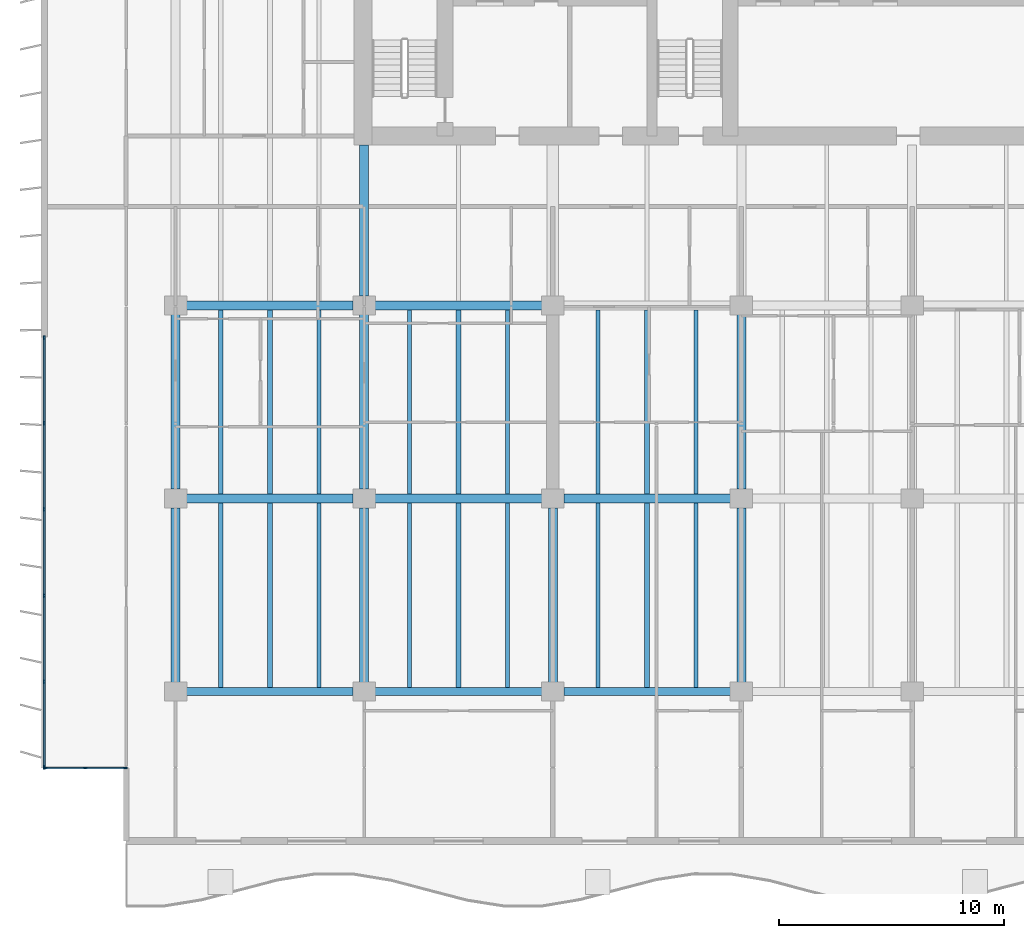
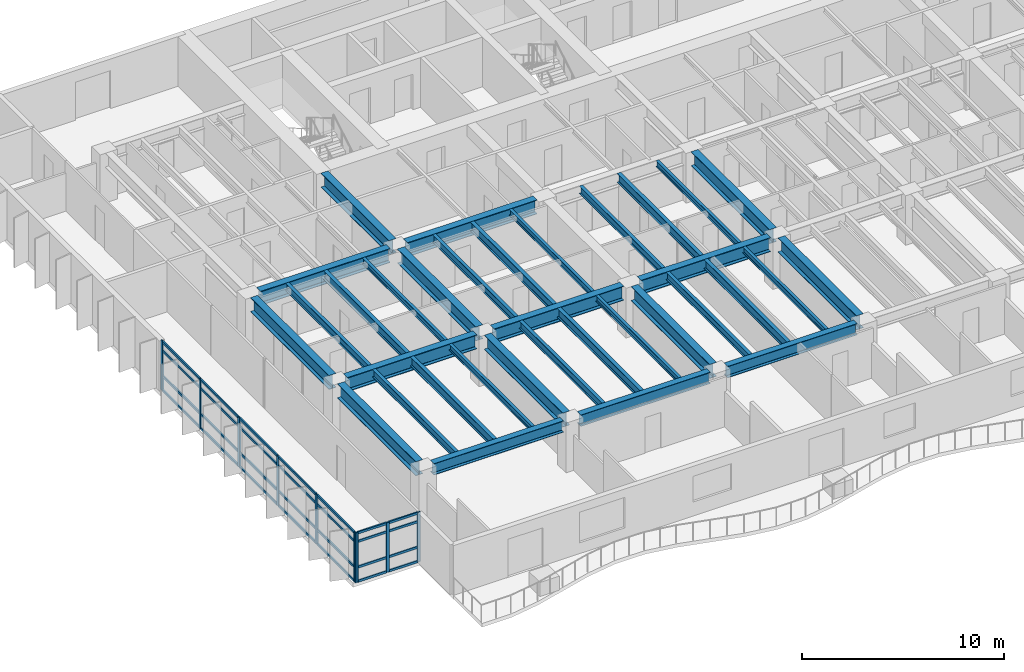
# One storey, part 2 of 19: 37 members, 34 beams, 2 elements without a shape of their own.
"""IFC4 building model written with IfcOpenShell, lengths in metres."""

from ifc_helpers import new_model, si_unit, direction, frame, origin, origin_2d, place, context, subcontext, project, spatial, rectangle, i_section, extrude, material, layer, layer_set, material_profile, profile_set, type_object, element, aggregate, save


model = new_model("IFC4")

# Units and contexts
model_context = context("Model", 3, precision=1e-05, world=origin(), true_north=direction((0.0, 1.0)))
body_context = subcontext(model_context, "Body", "Model", "MODEL_VIEW")
ifc_project = project(units=[si_unit("LENGTHUNIT", "METRE"), si_unit("AREAUNIT", "SQUARE_METRE"), si_unit("VOLUMEUNIT", "CUBIC_METRE"), si_unit("PLANEANGLEUNIT", "RADIAN"), si_unit("MASSUNIT", "GRAM", prefix="KILO")], contexts=[model_context])

# Site, building, storey
site_placement = place(None, origin())
site = spatial("IfcSite", under=ifc_project, at=site_placement, CompositionType="ELEMENT")
building_placement = place(site_placement, origin())
building = spatial("IfcBuilding", under=site, at=building_placement, Name="Caelmar Bay Residences", CompositionType="ELEMENT")
storey_placement = place(building_placement, frame((0.0, 0.0, 94.5)))
storey = spatial("IfcBuildingStorey", under=building, at=storey_placement, Name="L25", CompositionType="ELEMENT", Elevation=94.5)

# Beams
ifc_material_1 = material(Name="Steel ASTM A992 Grade 50", Category="steel")
ifc_material_profile_1 = material_profile(ifc_material_1, i_section(OverallWidth=0.40087890625, OverallDepth=0.861083984375, WebThickness=0.019775390625, FlangeThickness=0.032470703125, FilletRadius=0.017822265625, at=origin_2d()), Name="W33X221")
ifc_profile_set_1 = profile_set([ifc_material_profile_1], Name="Steel ASTM A992 Grade 50")
beam_type_1 = type_object("IfcBeamType", Name="BM-GRD-W33X221", PredefinedType="BEAM", material=ifc_profile_set_1)
beam_1_placement = place(storey_placement, frame((10.389892578125, 20.800048828125, 2.569580078125), z_axis=(1.0, 0.0, 0.0), x_axis=(0.0, 1.0, 0.0)))
element("IfcBeam", 1, at=beam_1_placement, inside=storey, type_object=beam_type_1, Name="L25 East-West Girder Y=20.80 (9.9-18.3)", PredefinedType="BEAM", context=body_context, shape_type="SweptSolid", body=[
    extrude(i_section(OverallWidth=0.40087890625, OverallDepth=0.861083984375, WebThickness=0.019775390625, FlangeThickness=0.032470703125, FilletRadius=0.017822265625, at=origin_2d()), origin(), (0.0, 0.0, 1.0), 7.420166015625),
])
beam_2_placement = place(storey_placement, frame((18.7900390625, 20.800048828125, 2.569580078125), z_axis=(1.0, 0.0, 0.0), x_axis=(0.0, 1.0, 0.0)))
element("IfcBeam", 2, at=beam_2_placement, inside=storey, type_object=beam_type_1, Name="L25 East-West Girder Y=20.80 (18.3-26.7)", PredefinedType="BEAM", context=body_context, shape_type="SweptSolid", body=[
    extrude(i_section(OverallWidth=0.40087890625, OverallDepth=0.861083984375, WebThickness=0.019775390625, FlangeThickness=0.032470703125, FilletRadius=0.017822265625, at=origin_2d()), origin(), (0.0, 0.0, 1.0), 7.419921875),
])
for number, where, z_axis, x_axis, name in (
    (3, (27.18994140625, 20.800048828125, 2.569580078125), (1.0, 0.0, 0.0), (0.0, 1.0, 0.0), "L25 East-West Girder Y=20.80 (26.7-35.1)"),
    (4, (10.389892578125, 29.39990234375, 2.569580078125), (1.0, 0.0, 0.0), (0.0, 1.0, 0.0), "L25 East-West Girder Y=29.40 (9.9-18.3)"),
):
    element("IfcBeam", number, at=place(storey_placement, frame(where, z_axis=z_axis, x_axis=x_axis)), inside=storey, type_object=beam_type_1, Name=name, PredefinedType="BEAM", context=body_context, shape_type="SweptSolid", body=[
        extrude(i_section(OverallWidth=0.40087890625, OverallDepth=0.861083984375, WebThickness=0.019775390625, FlangeThickness=0.032470703125, FilletRadius=0.017822265625, at=origin_2d()), origin(), (0.0, 0.0, 1.0), 7.420166015625),
    ])
beam_3_placement = place(storey_placement, frame((18.7900390625, 29.39990234375, 2.569580078125), z_axis=(1.0, 0.0, 0.0), x_axis=(0.0, 1.0, 0.0)))
element("IfcBeam", 5, at=beam_3_placement, inside=storey, type_object=beam_type_1, Name="L25 East-West Girder Y=29.40 (18.3-26.7)", PredefinedType="BEAM", context=body_context, shape_type="SweptSolid", body=[
    extrude(i_section(OverallWidth=0.40087890625, OverallDepth=0.861083984375, WebThickness=0.019775390625, FlangeThickness=0.032470703125, FilletRadius=0.017822265625, at=origin_2d()), origin(), (0.0, 0.0, 1.0), 7.419921875),
])
for number, where, z_axis, x_axis, name in (
    (6, (9.89990234375, 12.614990234375, 2.569580078125), (0.0, 1.0, 0.0), (-1.0, 0.0, 0.0), "L25 North-South Girder X=9.90 (12.2-20.8)"),
    (7, (9.89990234375, 21.215087890625, 2.569580078125), (0.0, 1.0, 0.0), (-1.0, 0.0, 0.0), "L25 North-South Girder X=9.90 (20.8-29.4)"),
):
    element("IfcBeam", number, at=place(storey_placement, frame(where, z_axis=z_axis, x_axis=x_axis)), inside=storey, type_object=beam_type_1, Name=name, PredefinedType="BEAM", context=body_context, shape_type="SweptSolid", body=[
        extrude(i_section(OverallWidth=0.40087890625, OverallDepth=0.861083984375, WebThickness=0.019775390625, FlangeThickness=0.032470703125, FilletRadius=0.017822265625, at=origin_2d()), origin(), (0.0, 0.0, 1.0), 7.77001953125),
    ])
beam_4_placement = place(storey_placement, frame((18.300048828125, 29.81494140625, 2.569580078125), z_axis=(0.0, 1.0, 0.0), x_axis=(-1.0, 0.0, 0.0)))
element("IfcBeam", 8, at=beam_4_placement, inside=storey, type_object=beam_type_1, Name="L25 Core Tie Girder X=18.30", PredefinedType="BEAM", context=body_context, shape_type="SweptSolid", body=[
    extrude(i_section(OverallWidth=0.40087890625, OverallDepth=0.861083984375, WebThickness=0.019775390625, FlangeThickness=0.032470703125, FilletRadius=0.017822265625, at=origin_2d()), origin(), (0.0, 0.0, 1.0), 6.735107421875),
])
for number, where, z_axis, x_axis, name in (
    (9, (18.300048828125, 12.614990234375, 2.569580078125), (0.0, 1.0, 0.0), (-1.0, 0.0, 0.0), "L25 North-South Girder X=18.30 (12.2-20.8)"),
    (10, (18.300048828125, 21.215087890625, 2.569580078125), (0.0, 1.0, 0.0), (-1.0, 0.0, 0.0), "L25 North-South Girder X=18.30 (20.8-29.4)"),
    (11, (26.699951171875, 12.614990234375, 2.569580078125), (0.0, 1.0, 0.0), (-1.0, 0.0, 0.0), "L25 North-South Girder X=26.70 (12.2-20.8)"),
    (12, (35.10009765625, 12.614990234375, 2.569580078125), (0.0, 1.0, 0.0), (-1.0, 0.0, 0.0), "L25 North-South Girder X=35.10 (12.2-20.8)"),
    (13, (35.10009765625, 21.215087890625, 2.569580078125), (0.0, 1.0, 0.0), (-1.0, 0.0, 0.0), "L25 North-South Girder X=35.10 (20.8-29.4)"),
):
    element("IfcBeam", number, at=place(storey_placement, frame(where, z_axis=z_axis, x_axis=x_axis)), inside=storey, type_object=beam_type_1, Name=name, PredefinedType="BEAM", context=body_context, shape_type="SweptSolid", body=[
        extrude(i_section(OverallWidth=0.40087890625, OverallDepth=0.861083984375, WebThickness=0.019775390625, FlangeThickness=0.032470703125, FilletRadius=0.017822265625, at=origin_2d()), origin(), (0.0, 0.0, 1.0), 7.77001953125),
    ])
ifc_material_profile_2 = material_profile(ifc_material_1, i_section(OverallWidth=0.1708984375, OverallDepth=0.35595703125, WebThickness=0.007080078125, FlangeThickness=0.01171875, FilletRadius=0.007568359375, at=origin_2d()), Name="W14X34")
ifc_profile_set_2 = profile_set([ifc_material_profile_2], Name="Steel ASTM A992 Grade 50")
beam_type_2 = type_object("IfcBeamType", Name="BM-JST-W14X34", PredefinedType="JOIST", material=ifc_profile_set_2)
for number, where, z_axis, x_axis, name in (
    (14, (16.283935546875, 12.3779296875, 2.822021484375), (0.0, 1.0, 0.0), (-1.0, 0.0, 0.0), "L25 Composite Floor Joist 3"),
    (15, (24.68408203125, 12.3779296875, 2.822021484375), (0.0, 1.0, 0.0), (-1.0, 0.0, 0.0), "L25 Composite Floor Joist 6"),
    (16, (33.083984375, 12.3779296875, 2.822021484375), (0.0, 1.0, 0.0), (-1.0, 0.0, 0.0), "L25 Composite Floor Joist 9"),
):
    element("IfcBeam", number, at=place(storey_placement, frame(where, z_axis=z_axis, x_axis=x_axis)), inside=storey, type_object=beam_type_2, Name=name, PredefinedType="JOIST", context=body_context, shape_type="SweptSolid", body=[
        extrude(i_section(OverallWidth=0.1708984375, OverallDepth=0.35595703125, WebThickness=0.007080078125, FlangeThickness=0.01171875, FilletRadius=0.007568359375, at=origin_2d()), origin(), (0.0, 0.0, 1.0), 8.2216796875),
    ])
for number, where, z_axis, x_axis, name in (
    (17, (16.283935546875, 21.00048828125, 2.822021484375), (0.0, 1.0, 0.0), (-1.0, 0.0, 0.0), "L25 Composite Floor Joist 24"),
    (18, (24.68408203125, 21.00048828125, 2.822021484375), (0.0, 1.0, 0.0), (-1.0, 0.0, 0.0), "L25 Composite Floor Joist 27"),
    (19, (33.083984375, 21.00048828125, 2.822021484375), (0.0, 1.0, 0.0), (-1.0, 0.0, 0.0), "L25 Composite Floor Joist 30"),
):
    element("IfcBeam", number, at=place(storey_placement, frame(where, z_axis=z_axis, x_axis=x_axis)), inside=storey, type_object=beam_type_2, Name=name, PredefinedType="JOIST", context=body_context, shape_type="SweptSolid", body=[
        extrude(i_section(OverallWidth=0.1708984375, OverallDepth=0.35595703125, WebThickness=0.007080078125, FlangeThickness=0.01171875, FilletRadius=0.007568359375, at=origin_2d()), origin(), (0.0, 0.0, 1.0), 8.198974609375),
    ])
ifc_material_profile_3 = material_profile(ifc_material_1, i_section(OverallWidth=0.19091796875, OverallDepth=0.45703125, WebThickness=0.009033203125, FlangeThickness=0.014404296875, FilletRadius=0.01025390625, at=origin_2d()), Name="W18X50")
ifc_profile_set_3 = profile_set([ifc_material_profile_3], Name="Steel ASTM A992 Grade 50")
beam_type_3 = type_object("IfcBeamType", Name="BM-JST-W18X50", PredefinedType="JOIST", material=ifc_profile_set_3)
for number, where, z_axis, x_axis, name in (
    (20, (11.916015625, 12.3779296875, 2.771484375), (0.0, 1.0, 0.0), (-1.0, 0.0, 0.0), "L25 Composite Floor Joist 1"),
    (21, (20.31591796875, 12.3779296875, 2.771484375), (0.0, 1.0, 0.0), (-1.0, 0.0, 0.0), "L25 Composite Floor Joist 4"),
    (22, (28.716064453125, 12.3779296875, 2.771484375), (0.0, 1.0, 0.0), (-1.0, 0.0, 0.0), "L25 Composite Floor Joist 7"),
):
    element("IfcBeam", number, at=place(storey_placement, frame(where, z_axis=z_axis, x_axis=x_axis)), inside=storey, type_object=beam_type_3, Name=name, PredefinedType="JOIST", context=body_context, shape_type="SweptSolid", body=[
        extrude(i_section(OverallWidth=0.19091796875, OverallDepth=0.45703125, WebThickness=0.009033203125, FlangeThickness=0.014404296875, FilletRadius=0.01025390625, at=origin_2d()), origin(), (0.0, 0.0, 1.0), 8.2216796875),
    ])
for number, where, z_axis, x_axis, name in (
    (23, (11.916015625, 21.00048828125, 2.771484375), (0.0, 1.0, 0.0), (-1.0, 0.0, 0.0), "L25 Composite Floor Joist 22"),
    (24, (20.31591796875, 21.00048828125, 2.771484375), (0.0, 1.0, 0.0), (-1.0, 0.0, 0.0), "L25 Composite Floor Joist 25"),
    (25, (28.716064453125, 21.00048828125, 2.771484375), (0.0, 1.0, 0.0), (-1.0, 0.0, 0.0), "L25 Composite Floor Joist 28"),
):
    element("IfcBeam", number, at=place(storey_placement, frame(where, z_axis=z_axis, x_axis=x_axis)), inside=storey, type_object=beam_type_3, Name=name, PredefinedType="JOIST", context=body_context, shape_type="SweptSolid", body=[
        extrude(i_section(OverallWidth=0.19091796875, OverallDepth=0.45703125, WebThickness=0.009033203125, FlangeThickness=0.014404296875, FilletRadius=0.01025390625, at=origin_2d()), origin(), (0.0, 0.0, 1.0), 8.198974609375),
    ])
ifc_material_profile_4 = material_profile(ifc_material_1, i_section(OverallWidth=0.214111328125, OverallDepth=0.549072265625, WebThickness=0.0146484375, FlangeThickness=0.023681640625, FilletRadius=0.0126953125, at=origin_2d()), Name="W21X93")
ifc_profile_set_4 = profile_set([ifc_material_profile_4], Name="Steel ASTM A992 Grade 50")
beam_type_4 = type_object("IfcBeamType", Name="BM-JST-W21X93", PredefinedType="JOIST", material=ifc_profile_set_4)
for number, where, z_axis, x_axis, name in (
    (26, (14.10009765625, 12.3779296875, 2.7255859375), (0.0, 1.0, 0.0), (-1.0, 0.0, 0.0), "L25 Composite Floor Joist 2"),
    (27, (22.5, 12.3779296875, 2.7255859375), (0.0, 1.0, 0.0), (-1.0, 0.0, 0.0), "L25 Composite Floor Joist 5"),
    (28, (30.89990234375, 12.3779296875, 2.7255859375), (0.0, 1.0, 0.0), (-1.0, 0.0, 0.0), "L25 Composite Floor Joist 8"),
):
    element("IfcBeam", number, at=place(storey_placement, frame(where, z_axis=z_axis, x_axis=x_axis)), inside=storey, type_object=beam_type_4, Name=name, PredefinedType="JOIST", context=body_context, shape_type="SweptSolid", body=[
        extrude(i_section(OverallWidth=0.214111328125, OverallDepth=0.549072265625, WebThickness=0.0146484375, FlangeThickness=0.023681640625, FilletRadius=0.0126953125, at=origin_2d()), origin(), (0.0, 0.0, 1.0), 8.2216796875),
    ])
for number, where, z_axis, x_axis, name in (
    (29, (14.10009765625, 21.00048828125, 2.7255859375), (0.0, 1.0, 0.0), (-1.0, 0.0, 0.0), "L25 Composite Floor Joist 23"),
    (30, (22.5, 21.00048828125, 2.7255859375), (0.0, 1.0, 0.0), (-1.0, 0.0, 0.0), "L25 Composite Floor Joist 26"),
    (31, (30.89990234375, 21.00048828125, 2.7255859375), (0.0, 1.0, 0.0), (-1.0, 0.0, 0.0), "L25 Composite Floor Joist 29"),
):
    element("IfcBeam", number, at=place(storey_placement, frame(where, z_axis=z_axis, x_axis=x_axis)), inside=storey, type_object=beam_type_4, Name=name, PredefinedType="JOIST", context=body_context, shape_type="SweptSolid", body=[
        extrude(i_section(OverallWidth=0.214111328125, OverallDepth=0.549072265625, WebThickness=0.0146484375, FlangeThickness=0.023681640625, FilletRadius=0.0126953125, at=origin_2d()), origin(), (0.0, 0.0, 1.0), 8.198974609375),
    ])
ifc_material_profile_5 = material_profile(ifc_material_1, i_section(OverallWidth=0.35595703125, OverallDepth=0.696044921875, WebThickness=0.015380859375, FlangeThickness=0.02490234375, FilletRadius=0.01513671875, at=origin_2d()), Name="W27X146")
ifc_profile_set_5 = profile_set([ifc_material_profile_5], Name="Steel ASTM A992 Grade 50")
beam_type_5 = type_object("IfcBeamType", Name="BM-SPN-W27X146", PredefinedType="SPANDREL", material=ifc_profile_set_5)
beam_5_placement = place(storey_placement, frame((10.389892578125, 12.199951171875, 2.652099609375), z_axis=(1.0, 0.0, 0.0), x_axis=(0.0, 1.0, 0.0)))
element("IfcBeam", 32, at=beam_5_placement, inside=storey, type_object=beam_type_5, Name="L25 East-West Girder Y=12.20 (9.9-18.3)", PredefinedType="SPANDREL", context=body_context, shape_type="SweptSolid", body=[
    extrude(i_section(OverallWidth=0.35595703125, OverallDepth=0.696044921875, WebThickness=0.015380859375, FlangeThickness=0.02490234375, FilletRadius=0.01513671875, at=origin_2d()), origin(), (0.0, 0.0, 1.0), 7.420166015625),
])
beam_6_placement = place(storey_placement, frame((18.7900390625, 12.199951171875, 2.652099609375), z_axis=(1.0, 0.0, 0.0), x_axis=(0.0, 1.0, 0.0)))
element("IfcBeam", 33, at=beam_6_placement, inside=storey, type_object=beam_type_5, Name="L25 East-West Girder Y=12.20 (18.3-26.7)", PredefinedType="SPANDREL", context=body_context, shape_type="SweptSolid", body=[
    extrude(i_section(OverallWidth=0.35595703125, OverallDepth=0.696044921875, WebThickness=0.015380859375, FlangeThickness=0.02490234375, FilletRadius=0.01513671875, at=origin_2d()), origin(), (0.0, 0.0, 1.0), 7.419921875),
])
beam_7_placement = place(storey_placement, frame((27.18994140625, 12.199951171875, 2.652099609375), z_axis=(1.0, 0.0, 0.0), x_axis=(0.0, 1.0, 0.0)))
element("IfcBeam", 34, at=beam_7_placement, inside=storey, type_object=beam_type_5, Name="L25 East-West Girder Y=12.20 (26.7-35.1)", PredefinedType="SPANDREL", context=body_context, shape_type="SweptSolid", body=[
    extrude(i_section(OverallWidth=0.35595703125, OverallDepth=0.696044921875, WebThickness=0.015380859375, FlangeThickness=0.02490234375, FilletRadius=0.01513671875, at=origin_2d()), origin(), (0.0, 0.0, 1.0), 7.420166015625),
])

# Curtain wall, members
ifc_material_2 = material(Name="Anodised bronze aluminium 6063-T6 and laminated glass", Category="aluminium")
ifc_layer_1 = layer(ifc_material_2, 0.179931640625)
ifc_layer_set_1 = layer_set([ifc_layer_1], Name="Anodised bronze aluminium 6063-T6 and laminated glass")
curtain_wall_type_1 = type_object("IfcCurtainWallType", Name="CW6-NTC", PredefinedType="NOTDEFINED", material=ifc_layer_set_1)
curtain_wall_1_placement = place(storey_placement, origin())
curtain_wall_1 = element("IfcCurtainWall", 35, at=curtain_wall_1_placement, inside=storey, type_object=curtain_wall_type_1, Name="CW6 curtain wall L25", PredefinedType="NOTDEFINED")
ifc_material_3 = material(Name="Anodised bronze aluminium 6063-T6", Category="aluminium")
ifc_material_profile_6 = material_profile(ifc_material_3, rectangle(XDim=0.080078125, YDim=0.179931640625, at=origin_2d()), Name="CWM-80X180")
ifc_profile_set_6 = profile_set([ifc_material_profile_6], Name="Anodised bronze aluminium 6063-T6")
member_type_1 = type_object("IfcMemberType", Name="CWM-180", PredefinedType="MULLION", material=ifc_profile_set_6)
member_1_placement = place(storey_placement, frame((4.090087890625, 8.800048828125, 0.0), z_axis=(0.0, 0.0, 1.0), x_axis=(0.0, 1.0, 0.0)))
member_1 = element("IfcMember", 36, at=member_1_placement, type_object=member_type_1, Name="CW6 mullion 1", PredefinedType="MULLION", context=body_context, shape_type="SweptSolid", body=[
    extrude(rectangle(XDim=0.080078125, YDim=0.179931640625, at=origin_2d()), origin(), (0.0, 0.0, 1.0), 3.0),
])
member_2_placement = place(storey_placement, frame((5.875, 8.800048828125, 0.0), z_axis=(0.0, 0.0, 1.0), x_axis=(0.0, 1.0, 0.0)))
member_2 = element("IfcMember", 37, at=member_2_placement, type_object=member_type_1, Name="CW6 mullion 2", PredefinedType="MULLION", context=body_context, shape_type="SweptSolid", body=[
    extrude(rectangle(XDim=0.080078125, YDim=0.179931640625, at=origin_2d()), origin(), (0.0, 0.0, 1.0), 3.0),
])
member_3_placement = place(storey_placement, frame((7.659912109375, 8.800048828125, 0.0), z_axis=(0.0, 0.0, 1.0), x_axis=(0.0, 1.0, 0.0)))
member_3 = element("IfcMember", 38, at=member_3_placement, type_object=member_type_1, Name="CW6 mullion 3", PredefinedType="MULLION", context=body_context, shape_type="SweptSolid", body=[
    extrude(rectangle(XDim=0.080078125, YDim=0.179931640625, at=origin_2d()), origin(), (0.0, 0.0, 1.0), 3.0),
])

ifc_layer_2 = layer(ifc_material_2, 0.179931640625)
ifc_layer_set_2 = layer_set([ifc_layer_2], Name="Anodised bronze aluminium 6063-T6 and laminated glass")
curtain_wall_type_2 = type_object("IfcCurtainWallType", Name="CW3-Z2", PredefinedType="NOTDEFINED", material=ifc_layer_set_2)
curtain_wall_2_placement = place(storey_placement, origin())
curtain_wall_2 = element("IfcCurtainWall", 39, at=curtain_wall_2_placement, inside=storey, type_object=curtain_wall_type_2, Name="CW3 curtain wall L25", PredefinedType="NOTDEFINED")
member_4_placement = place(storey_placement, frame((4.050048828125, 8.840087890625, 0.0), z_axis=(0.0, 0.0, 1.0), x_axis=(-1.0, 0.0, 0.0)))
member_4 = element("IfcMember", 40, at=member_4_placement, type_object=member_type_1, Name="CW3 mullion 1", PredefinedType="MULLION", context=body_context, shape_type="SweptSolid", body=[
    extrude(rectangle(XDim=0.080078125, YDim=0.179931640625, at=origin_2d()), origin(), (0.0, 0.0, 1.0), 3.0),
])
member_5_placement = place(storey_placement, frame((4.050048828125, 12.639892578125, 0.0), z_axis=(0.0, 0.0, 1.0), x_axis=(-1.0, 0.0, 0.0)))
member_5 = element("IfcMember", 41, at=member_5_placement, type_object=member_type_1, Name="CW3 mullion 2", PredefinedType="MULLION", context=body_context, shape_type="SweptSolid", body=[
    extrude(rectangle(XDim=0.080078125, YDim=0.179931640625, at=origin_2d()), origin(), (0.0, 0.0, 1.0), 3.0),
])
member_6_placement = place(storey_placement, frame((4.050048828125, 16.47998046875, 0.0), z_axis=(0.0, 0.0, 1.0), x_axis=(-1.0, 0.0, 0.0)))
member_6 = element("IfcMember", 42, at=member_6_placement, type_object=member_type_1, Name="CW3 mullion 3", PredefinedType="MULLION", context=body_context, shape_type="SweptSolid", body=[
    extrude(rectangle(XDim=0.080078125, YDim=0.179931640625, at=origin_2d()), origin(), (0.0, 0.0, 1.0), 3.0),
])
member_7_placement = place(storey_placement, frame((4.050048828125, 20.320068359375, 0.0), z_axis=(0.0, 0.0, 1.0), x_axis=(-1.0, 0.0, 0.0)))
member_7 = element("IfcMember", 43, at=member_7_placement, type_object=member_type_1, Name="CW3 mullion 4", PredefinedType="MULLION", context=body_context, shape_type="SweptSolid", body=[
    extrude(rectangle(XDim=0.080078125, YDim=0.179931640625, at=origin_2d()), origin(), (0.0, 0.0, 1.0), 3.0),
])
member_8_placement = place(storey_placement, frame((4.050048828125, 24.159912109375, 0.0), z_axis=(0.0, 0.0, 1.0), x_axis=(-1.0, 0.0, 0.0)))
member_8 = element("IfcMember", 44, at=member_8_placement, type_object=member_type_1, Name="CW3 mullion 5", PredefinedType="MULLION", context=body_context, shape_type="SweptSolid", body=[
    extrude(rectangle(XDim=0.080078125, YDim=0.179931640625, at=origin_2d()), origin(), (0.0, 0.0, 1.0), 3.0),
])
member_9_placement = place(storey_placement, frame((4.050048828125, 27.9599609375, 0.0), z_axis=(0.0, 0.0, 1.0), x_axis=(-1.0, 0.0, 0.0)))
member_9 = element("IfcMember", 45, at=member_9_placement, type_object=member_type_1, Name="CW3 mullion 6", PredefinedType="MULLION", context=body_context, shape_type="SweptSolid", body=[
    extrude(rectangle(XDim=0.080078125, YDim=0.179931640625, at=origin_2d()), origin(), (0.0, 0.0, 1.0), 3.0),
])

# Member
ifc_material_profile_7 = material_profile(ifc_material_3, rectangle(XDim=0.080078125, YDim=0.139892578125, at=origin_2d()), Name="CWT-80X140")
ifc_profile_set_7 = profile_set([ifc_material_profile_7], Name="Anodised bronze aluminium 6063-T6")
member_type_2 = type_object("IfcMemberType", Name="CWT-140", PredefinedType="NOTDEFINED", material=ifc_profile_set_7)
member_10_placement = place(storey_placement, frame((4.1298828125, 8.800048828125, 0.0400390625), z_axis=(1.0, 0.0, 0.0), x_axis=(0.0, 1.0, 0.0)))
member_10 = element("IfcMember", 46, at=member_10_placement, type_object=member_type_2, Name="CW6 transom 1.1", ObjectType="TRANSOM", PredefinedType="USERDEFINED", context=body_context, shape_type="SweptSolid", body=[
    extrude(rectangle(XDim=0.080078125, YDim=0.139892578125, at=origin_2d()), origin(), (0.0, 0.0, 1.0), 1.705078125),
])

member_11_placement = place(storey_placement, frame((4.1298828125, 8.800048828125, 0.89990234375), z_axis=(1.0, 0.0, 0.0), x_axis=(0.0, 1.0, 0.0)))
member_11 = element("IfcMember", 47, at=member_11_placement, type_object=member_type_2, Name="CW6 transom 1.2", ObjectType="TRANSOM", PredefinedType="USERDEFINED", context=body_context, shape_type="SweptSolid", body=[
    extrude(rectangle(XDim=0.080078125, YDim=0.139892578125, at=origin_2d()), origin(), (0.0, 0.0, 1.0), 1.705078125),
])

member_12_placement = place(storey_placement, frame((4.1298828125, 8.800048828125, 2.449951171875), z_axis=(1.0, 0.0, 0.0), x_axis=(0.0, 1.0, 0.0)))
member_12 = element("IfcMember", 48, at=member_12_placement, type_object=member_type_2, Name="CW6 transom 1.3", ObjectType="TRANSOM", PredefinedType="USERDEFINED", context=body_context, shape_type="SweptSolid", body=[
    extrude(rectangle(XDim=0.080078125, YDim=0.139892578125, at=origin_2d()), origin(), (0.0, 0.0, 1.0), 1.705078125),
])

member_13_placement = place(storey_placement, frame((4.1298828125, 8.800048828125, 2.9599609375), z_axis=(1.0, 0.0, 0.0), x_axis=(0.0, 1.0, 0.0)))
member_13 = element("IfcMember", 49, at=member_13_placement, type_object=member_type_2, Name="CW6 transom 1.4", ObjectType="TRANSOM", PredefinedType="USERDEFINED", context=body_context, shape_type="SweptSolid", body=[
    extrude(rectangle(XDim=0.080078125, YDim=0.139892578125, at=origin_2d()), origin(), (0.0, 0.0, 1.0), 1.705078125),
])

member_14_placement = place(storey_placement, frame((5.9150390625, 8.800048828125, 0.0400390625), z_axis=(1.0, 0.0, 0.0), x_axis=(0.0, 1.0, 0.0)))
member_14 = element("IfcMember", 50, at=member_14_placement, type_object=member_type_2, Name="CW6 transom 2.1", ObjectType="TRANSOM", PredefinedType="USERDEFINED", context=body_context, shape_type="SweptSolid", body=[
    extrude(rectangle(XDim=0.080078125, YDim=0.139892578125, at=origin_2d()), origin(), (0.0, 0.0, 1.0), 1.705078125),
])

member_15_placement = place(storey_placement, frame((5.9150390625, 8.800048828125, 0.89990234375), z_axis=(1.0, 0.0, 0.0), x_axis=(0.0, 1.0, 0.0)))
member_15 = element("IfcMember", 51, at=member_15_placement, type_object=member_type_2, Name="CW6 transom 2.2", ObjectType="TRANSOM", PredefinedType="USERDEFINED", context=body_context, shape_type="SweptSolid", body=[
    extrude(rectangle(XDim=0.080078125, YDim=0.139892578125, at=origin_2d()), origin(), (0.0, 0.0, 1.0), 1.705078125),
])

member_16_placement = place(storey_placement, frame((5.9150390625, 8.800048828125, 2.449951171875), z_axis=(1.0, 0.0, 0.0), x_axis=(0.0, 1.0, 0.0)))
member_16 = element("IfcMember", 52, at=member_16_placement, type_object=member_type_2, Name="CW6 transom 2.3", ObjectType="TRANSOM", PredefinedType="USERDEFINED", context=body_context, shape_type="SweptSolid", body=[
    extrude(rectangle(XDim=0.080078125, YDim=0.139892578125, at=origin_2d()), origin(), (0.0, 0.0, 1.0), 1.705078125),
])

member_17_placement = place(storey_placement, frame((5.9150390625, 8.800048828125, 2.9599609375), z_axis=(1.0, 0.0, 0.0), x_axis=(0.0, 1.0, 0.0)))
member_17 = element("IfcMember", 53, at=member_17_placement, type_object=member_type_2, Name="CW6 transom 2.4", ObjectType="TRANSOM", PredefinedType="USERDEFINED", context=body_context, shape_type="SweptSolid", body=[
    extrude(rectangle(XDim=0.080078125, YDim=0.139892578125, at=origin_2d()), origin(), (0.0, 0.0, 1.0), 1.705078125),
])

aggregate(curtain_wall_1, [member_1, member_2, member_3, member_10, member_11, member_12, member_13, member_14, member_15, member_16, member_17])

member_18_placement = place(storey_placement, frame((4.050048828125, 8.8798828125, 0.0400390625), z_axis=(0.0, 1.0, 0.0), x_axis=(-1.0, 0.0, 0.0)))
member_18 = element("IfcMember", 54, at=member_18_placement, type_object=member_type_2, Name="CW3 transom 1.1", ObjectType="TRANSOM", PredefinedType="USERDEFINED", context=body_context, shape_type="SweptSolid", body=[
    extrude(rectangle(XDim=0.080078125, YDim=0.139892578125, at=origin_2d()), origin(), (0.0, 0.0, 1.0), 3.72021484375),
])

member_19_placement = place(storey_placement, frame((4.050048828125, 8.8798828125, 0.89990234375), z_axis=(0.0, 1.0, 0.0), x_axis=(-1.0, 0.0, 0.0)))
member_19 = element("IfcMember", 55, at=member_19_placement, type_object=member_type_2, Name="CW3 transom 1.2", ObjectType="TRANSOM", PredefinedType="USERDEFINED", context=body_context, shape_type="SweptSolid", body=[
    extrude(rectangle(XDim=0.080078125, YDim=0.139892578125, at=origin_2d()), origin(), (0.0, 0.0, 1.0), 3.72021484375),
])

member_20_placement = place(storey_placement, frame((4.050048828125, 8.8798828125, 2.449951171875), z_axis=(0.0, 1.0, 0.0), x_axis=(-1.0, 0.0, 0.0)))
member_20 = element("IfcMember", 56, at=member_20_placement, type_object=member_type_2, Name="CW3 transom 1.3", ObjectType="TRANSOM", PredefinedType="USERDEFINED", context=body_context, shape_type="SweptSolid", body=[
    extrude(rectangle(XDim=0.080078125, YDim=0.139892578125, at=origin_2d()), origin(), (0.0, 0.0, 1.0), 3.72021484375),
])

member_21_placement = place(storey_placement, frame((4.050048828125, 8.8798828125, 2.9599609375), z_axis=(0.0, 1.0, 0.0), x_axis=(-1.0, 0.0, 0.0)))
member_21 = element("IfcMember", 57, at=member_21_placement, type_object=member_type_2, Name="CW3 transom 1.4", ObjectType="TRANSOM", PredefinedType="USERDEFINED", context=body_context, shape_type="SweptSolid", body=[
    extrude(rectangle(XDim=0.080078125, YDim=0.139892578125, at=origin_2d()), origin(), (0.0, 0.0, 1.0), 3.72021484375),
])

member_22_placement = place(storey_placement, frame((4.050048828125, 12.679931640625, 0.0400390625), z_axis=(0.0, 1.0, 0.0), x_axis=(-1.0, 0.0, 0.0)))
member_22 = element("IfcMember", 58, at=member_22_placement, type_object=member_type_2, Name="CW3 transom 2.1", ObjectType="TRANSOM", PredefinedType="USERDEFINED", context=body_context, shape_type="SweptSolid", body=[
    extrude(rectangle(XDim=0.080078125, YDim=0.139892578125, at=origin_2d()), origin(), (0.0, 0.0, 1.0), 3.760009765625),
])

member_23_placement = place(storey_placement, frame((4.050048828125, 12.679931640625, 0.89990234375), z_axis=(0.0, 1.0, 0.0), x_axis=(-1.0, 0.0, 0.0)))
member_23 = element("IfcMember", 59, at=member_23_placement, type_object=member_type_2, Name="CW3 transom 2.2", ObjectType="TRANSOM", PredefinedType="USERDEFINED", context=body_context, shape_type="SweptSolid", body=[
    extrude(rectangle(XDim=0.080078125, YDim=0.139892578125, at=origin_2d()), origin(), (0.0, 0.0, 1.0), 3.760009765625),
])

member_24_placement = place(storey_placement, frame((4.050048828125, 12.679931640625, 2.449951171875), z_axis=(0.0, 1.0, 0.0), x_axis=(-1.0, 0.0, 0.0)))
member_24 = element("IfcMember", 60, at=member_24_placement, type_object=member_type_2, Name="CW3 transom 2.3", ObjectType="TRANSOM", PredefinedType="USERDEFINED", context=body_context, shape_type="SweptSolid", body=[
    extrude(rectangle(XDim=0.080078125, YDim=0.139892578125, at=origin_2d()), origin(), (0.0, 0.0, 1.0), 3.760009765625),
])

member_25_placement = place(storey_placement, frame((4.050048828125, 12.679931640625, 2.9599609375), z_axis=(0.0, 1.0, 0.0), x_axis=(-1.0, 0.0, 0.0)))
member_25 = element("IfcMember", 61, at=member_25_placement, type_object=member_type_2, Name="CW3 transom 2.4", ObjectType="TRANSOM", PredefinedType="USERDEFINED", context=body_context, shape_type="SweptSolid", body=[
    extrude(rectangle(XDim=0.080078125, YDim=0.139892578125, at=origin_2d()), origin(), (0.0, 0.0, 1.0), 3.760009765625),
])

member_26_placement = place(storey_placement, frame((4.050048828125, 16.52001953125, 0.0400390625), z_axis=(0.0, 1.0, 0.0), x_axis=(-1.0, 0.0, 0.0)))
member_26 = element("IfcMember", 62, at=member_26_placement, type_object=member_type_2, Name="CW3 transom 3.1", ObjectType="TRANSOM", PredefinedType="USERDEFINED", context=body_context, shape_type="SweptSolid", body=[
    extrude(rectangle(XDim=0.080078125, YDim=0.139892578125, at=origin_2d()), origin(), (0.0, 0.0, 1.0), 3.760009765625),
])

member_27_placement = place(storey_placement, frame((4.050048828125, 16.52001953125, 0.89990234375), z_axis=(0.0, 1.0, 0.0), x_axis=(-1.0, 0.0, 0.0)))
member_27 = element("IfcMember", 63, at=member_27_placement, type_object=member_type_2, Name="CW3 transom 3.2", ObjectType="TRANSOM", PredefinedType="USERDEFINED", context=body_context, shape_type="SweptSolid", body=[
    extrude(rectangle(XDim=0.080078125, YDim=0.139892578125, at=origin_2d()), origin(), (0.0, 0.0, 1.0), 3.760009765625),
])

member_28_placement = place(storey_placement, frame((4.050048828125, 16.52001953125, 2.449951171875), z_axis=(0.0, 1.0, 0.0), x_axis=(-1.0, 0.0, 0.0)))
member_28 = element("IfcMember", 64, at=member_28_placement, type_object=member_type_2, Name="CW3 transom 3.3", ObjectType="TRANSOM", PredefinedType="USERDEFINED", context=body_context, shape_type="SweptSolid", body=[
    extrude(rectangle(XDim=0.080078125, YDim=0.139892578125, at=origin_2d()), origin(), (0.0, 0.0, 1.0), 3.760009765625),
])

member_29_placement = place(storey_placement, frame((4.050048828125, 16.52001953125, 2.9599609375), z_axis=(0.0, 1.0, 0.0), x_axis=(-1.0, 0.0, 0.0)))
member_29 = element("IfcMember", 65, at=member_29_placement, type_object=member_type_2, Name="CW3 transom 3.4", ObjectType="TRANSOM", PredefinedType="USERDEFINED", context=body_context, shape_type="SweptSolid", body=[
    extrude(rectangle(XDim=0.080078125, YDim=0.139892578125, at=origin_2d()), origin(), (0.0, 0.0, 1.0), 3.760009765625),
])

member_30_placement = place(storey_placement, frame((4.050048828125, 20.360107421875, 0.0400390625), z_axis=(0.0, 1.0, 0.0), x_axis=(-1.0, 0.0, 0.0)))
member_30 = element("IfcMember", 66, at=member_30_placement, type_object=member_type_2, Name="CW3 transom 4.1", ObjectType="TRANSOM", PredefinedType="USERDEFINED", context=body_context, shape_type="SweptSolid", body=[
    extrude(rectangle(XDim=0.080078125, YDim=0.139892578125, at=origin_2d()), origin(), (0.0, 0.0, 1.0), 3.760009765625),
])

member_31_placement = place(storey_placement, frame((4.050048828125, 20.360107421875, 0.89990234375), z_axis=(0.0, 1.0, 0.0), x_axis=(-1.0, 0.0, 0.0)))
member_31 = element("IfcMember", 67, at=member_31_placement, type_object=member_type_2, Name="CW3 transom 4.2", ObjectType="TRANSOM", PredefinedType="USERDEFINED", context=body_context, shape_type="SweptSolid", body=[
    extrude(rectangle(XDim=0.080078125, YDim=0.139892578125, at=origin_2d()), origin(), (0.0, 0.0, 1.0), 3.760009765625),
])

member_32_placement = place(storey_placement, frame((4.050048828125, 20.360107421875, 2.449951171875), z_axis=(0.0, 1.0, 0.0), x_axis=(-1.0, 0.0, 0.0)))
member_32 = element("IfcMember", 68, at=member_32_placement, type_object=member_type_2, Name="CW3 transom 4.3", ObjectType="TRANSOM", PredefinedType="USERDEFINED", context=body_context, shape_type="SweptSolid", body=[
    extrude(rectangle(XDim=0.080078125, YDim=0.139892578125, at=origin_2d()), origin(), (0.0, 0.0, 1.0), 3.760009765625),
])

member_33_placement = place(storey_placement, frame((4.050048828125, 20.360107421875, 2.9599609375), z_axis=(0.0, 1.0, 0.0), x_axis=(-1.0, 0.0, 0.0)))
member_33 = element("IfcMember", 69, at=member_33_placement, type_object=member_type_2, Name="CW3 transom 4.4", ObjectType="TRANSOM", PredefinedType="USERDEFINED", context=body_context, shape_type="SweptSolid", body=[
    extrude(rectangle(XDim=0.080078125, YDim=0.139892578125, at=origin_2d()), origin(), (0.0, 0.0, 1.0), 3.760009765625),
])

member_34_placement = place(storey_placement, frame((4.050048828125, 24.199951171875, 0.0400390625), z_axis=(0.0, 1.0, 0.0), x_axis=(-1.0, 0.0, 0.0)))
member_34 = element("IfcMember", 70, at=member_34_placement, type_object=member_type_2, Name="CW3 transom 5.1", ObjectType="TRANSOM", PredefinedType="USERDEFINED", context=body_context, shape_type="SweptSolid", body=[
    extrude(rectangle(XDim=0.080078125, YDim=0.139892578125, at=origin_2d()), origin(), (0.0, 0.0, 1.0), 3.719970703125),
])

member_35_placement = place(storey_placement, frame((4.050048828125, 24.199951171875, 0.89990234375), z_axis=(0.0, 1.0, 0.0), x_axis=(-1.0, 0.0, 0.0)))
member_35 = element("IfcMember", 71, at=member_35_placement, type_object=member_type_2, Name="CW3 transom 5.2", ObjectType="TRANSOM", PredefinedType="USERDEFINED", context=body_context, shape_type="SweptSolid", body=[
    extrude(rectangle(XDim=0.080078125, YDim=0.139892578125, at=origin_2d()), origin(), (0.0, 0.0, 1.0), 3.719970703125),
])

member_36_placement = place(storey_placement, frame((4.050048828125, 24.199951171875, 2.449951171875), z_axis=(0.0, 1.0, 0.0), x_axis=(-1.0, 0.0, 0.0)))
member_36 = element("IfcMember", 72, at=member_36_placement, type_object=member_type_2, Name="CW3 transom 5.3", ObjectType="TRANSOM", PredefinedType="USERDEFINED", context=body_context, shape_type="SweptSolid", body=[
    extrude(rectangle(XDim=0.080078125, YDim=0.139892578125, at=origin_2d()), origin(), (0.0, 0.0, 1.0), 3.719970703125),
])

member_37_placement = place(storey_placement, frame((4.050048828125, 24.199951171875, 2.9599609375), z_axis=(0.0, 1.0, 0.0), x_axis=(-1.0, 0.0, 0.0)))
member_37 = element("IfcMember", 73, at=member_37_placement, type_object=member_type_2, Name="CW3 transom 5.4", ObjectType="TRANSOM", PredefinedType="USERDEFINED", context=body_context, shape_type="SweptSolid", body=[
    extrude(rectangle(XDim=0.080078125, YDim=0.139892578125, at=origin_2d()), origin(), (0.0, 0.0, 1.0), 3.719970703125),
])

aggregate(curtain_wall_2, [member_4, member_5, member_6, member_7, member_8, member_9, member_18, member_19, member_20, member_21, member_22, member_23, member_24, member_25, member_26, member_27, member_28, member_29, member_30, member_31, member_32, member_33, member_34, member_35, member_36, member_37])

save(model, "model.ifc")
